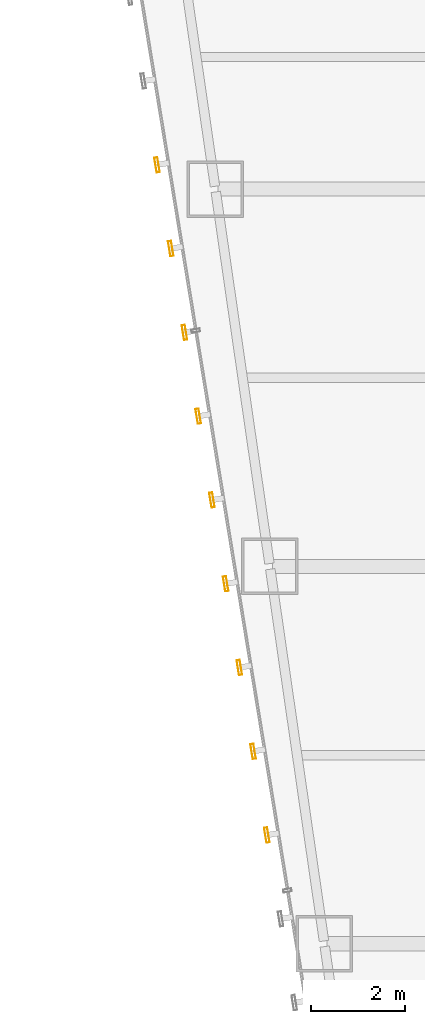
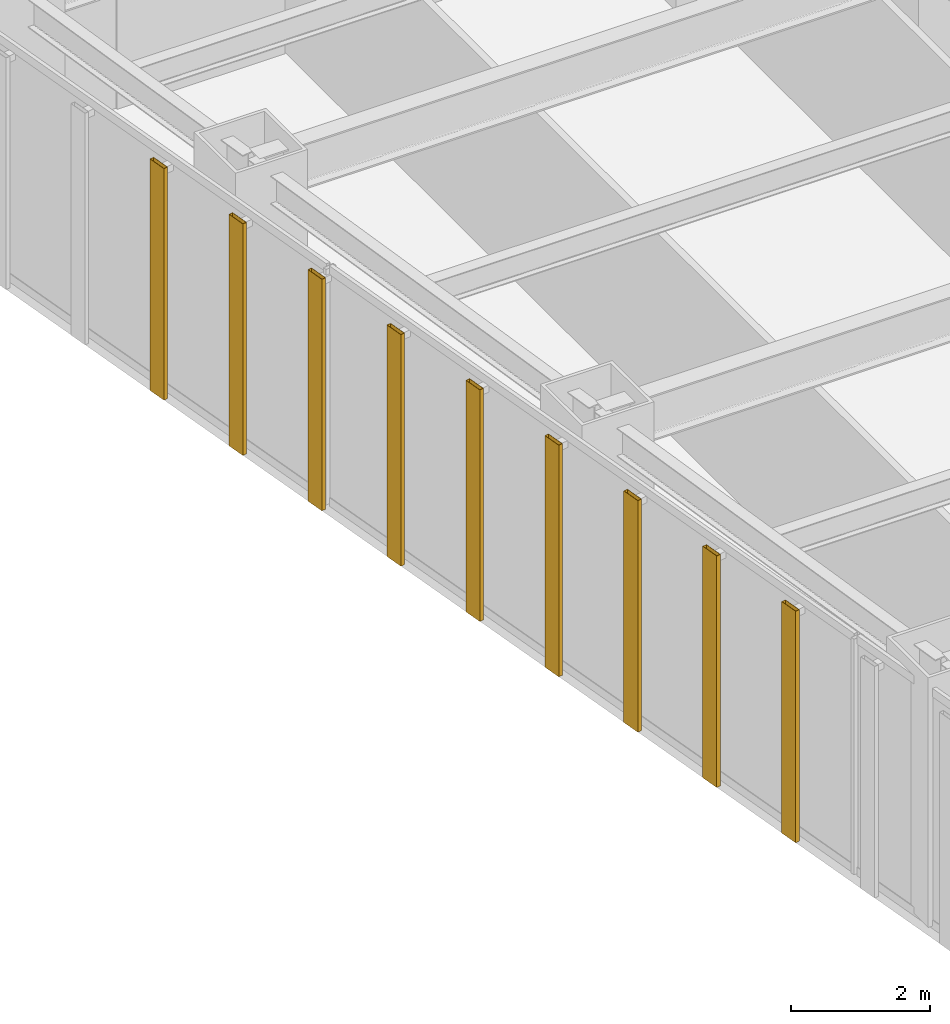
# One storey, part 43 of 47: 9 shading devices.
"""IFC4 building model written with IfcOpenShell, lengths in metres."""

from ifc_helpers import new_model, si_unit, direction, frame, origin, origin_2d, place, context, subcontext, project, spatial, hollow_rectangle, extrude, material, material_profile, profile_set, type_object, element, save


model = new_model("IFC4")

# Units and contexts
model_context = context("Model", 3, precision=1e-05, world=origin(), true_north=direction((0.0, 1.0)))
body_context = subcontext(model_context, "Body", "Model", "MODEL_VIEW")
ifc_project = project(units=[si_unit("LENGTHUNIT", "METRE"), si_unit("AREAUNIT", "SQUARE_METRE"), si_unit("VOLUMEUNIT", "CUBIC_METRE"), si_unit("PLANEANGLEUNIT", "RADIAN"), si_unit("MASSUNIT", "GRAM", prefix="KILO")], contexts=[model_context])

# Site, building, storey
site_placement = place(None, origin())
site = spatial("IfcSite", under=ifc_project, at=site_placement, CompositionType="ELEMENT")
building_placement = place(site_placement, origin())
building = spatial("IfcBuilding", under=site, at=building_placement, Name="Saevonmaru Cultural Tower", CompositionType="ELEMENT")
storey_placement = place(building_placement, frame((0.0, 0.0, 51.60009765625)))
storey = spatial("IfcBuildingStorey", under=building, at=storey_placement, Name="L10", CompositionType="ELEMENT", Elevation=51.60009765625)

# Shading devices
ifc_material = material(Name="Satin Bronze Anodised Aluminium", Category="aluminium")
ifc_material_profile = material_profile(ifc_material, hollow_rectangle(XDim=0.070068359375, YDim=0.320068359375, WallThickness=0.0048828125, at=origin_2d()), Name="FIN-320x70")
ifc_profile_set = profile_set([ifc_material_profile], Name="Satin Bronze Anodised Aluminium")
shading_device_type = type_object("IfcShadingDeviceType", Name="SHD-FIN-320", PredefinedType="JALOUSIE", material=ifc_profile_set)
for number, where, z_axis, x_axis, name in (
    (1, (7.0810546875, 32.513916015625, 0.0498046875), (0.0, 0.0, 1.0), (-0.986827496189, -0.161776057456, 0.0), "L10 Art Deco Sawtooth Bronze Fin E12-12"),
    (2, (7.3720703125, 30.737548828125, 0.0498046875), (0.0, 0.0, 1.0), (-0.986827496189, -0.161776057456, 0.0), "L10 Art Deco Sawtooth Bronze Fin E12-13"),
    (3, (7.6630859375, 28.961181640625, 0.0498046875), (0.0, 0.0, 1.0), (-0.986827496189, -0.161776057456, 0.0), "L10 Art Deco Sawtooth Bronze Fin E12-14"),
    (4, (7.9541015625, 27.184814453125, 0.0498046875), (0.0, 0.0, 1.0), (-0.986827496189, -0.161776057456, 0.0), "L10 Art Deco Sawtooth Bronze Fin E12-15"),
    (5, (8.245361328125, 25.40869140625, 0.0498046875), (0.0, 0.0, 1.0), (-0.986827496189, -0.161776057456, 0.0), "L10 Art Deco Sawtooth Bronze Fin E12-16"),
    (6, (8.536376953125, 23.63232421875, 0.0498046875), (0.0, 0.0, 1.0), (-0.986827496189, -0.161776057456, 0.0), "L10 Art Deco Sawtooth Bronze Fin E12-17"),
    (7, (8.827392578125, 21.85595703125, 0.0498046875), (0.0, 0.0, 1.0), (-0.986827496189, -0.161776057456, 0.0), "L10 Art Deco Sawtooth Bronze Fin E12-18"),
    (8, (9.118408203125, 20.07958984375, 0.0498046875), (0.0, 0.0, 1.0), (-0.986827496189, -0.161776057456, 0.0), "L10 Art Deco Sawtooth Bronze Fin E12-19"),
    (9, (9.40966796875, 18.30322265625, 0.0498046875), (0.0, 0.0, 1.0), (-0.986827496189, -0.161776057456, 0.0), "L10 Art Deco Sawtooth Bronze Fin E12-20"),
):
    element("IfcShadingDevice", number, at=place(storey_placement, frame(where, z_axis=z_axis, x_axis=x_axis)), inside=storey, type_object=shading_device_type, Name=name, PredefinedType="JALOUSIE", context=body_context, shape_type="SweptSolid", body=[
        extrude(hollow_rectangle(XDim=0.070068359375, YDim=0.320068359375, WallThickness=0.0048828125, at=origin_2d()), origin(), (0.0, 0.0, 1.0), 4.080078125),
    ])

save(model, "model.ifc")
